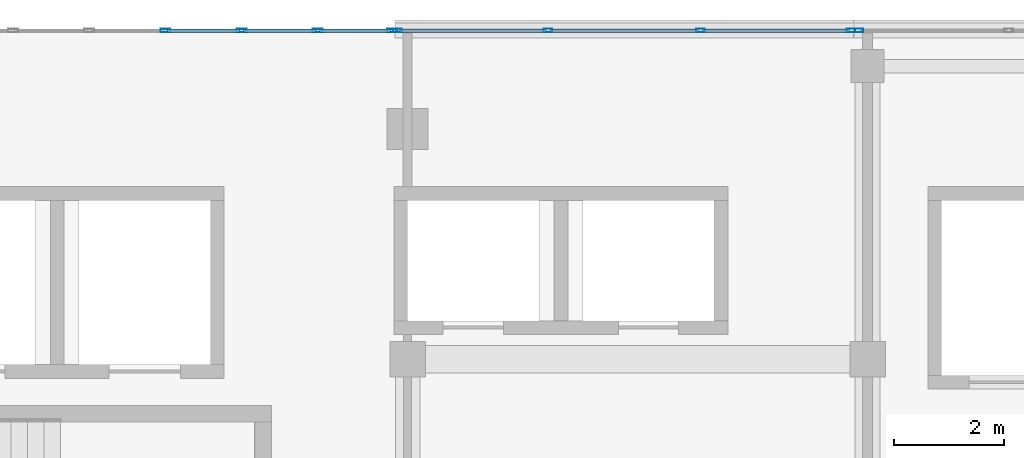
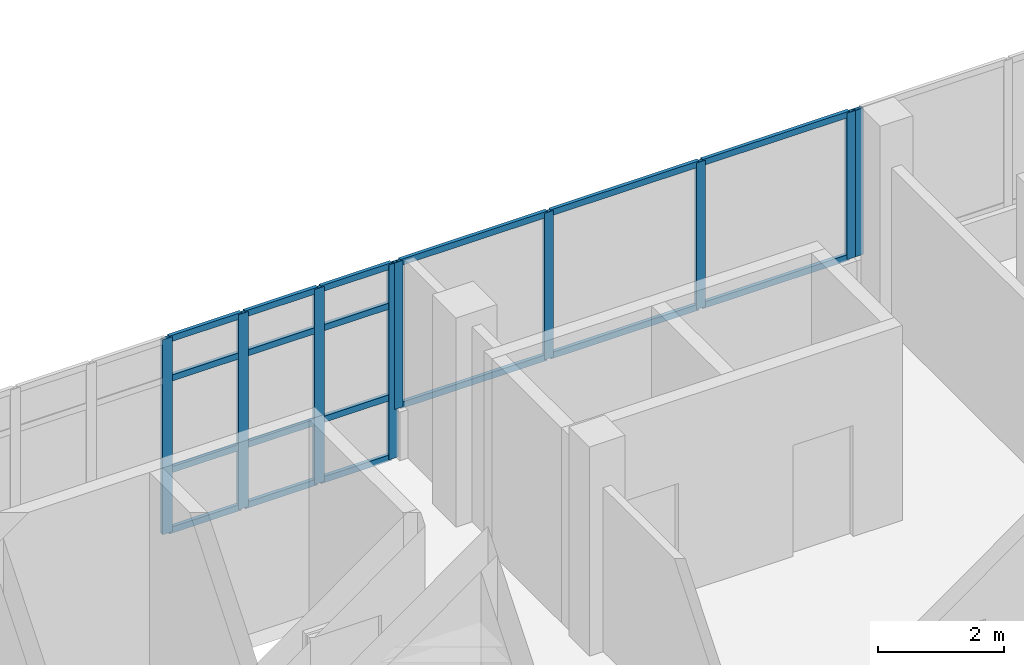
# One storey, part 35 of 78: 27 members, 3 elements without a shape of their own.
"""IFC4 building model written with IfcOpenShell, lengths in metres."""

from ifc_helpers import new_model, si_unit, direction, frame, origin, origin_2d, place, context, subcontext, project, spatial, hollow_rectangle, extrude, material, material_profile, profile_set, type_object, element, aggregate, save


model = new_model("IFC4")

# Units and contexts
model_context = context("Model", 3, precision=1e-05, world=origin(), true_north=direction((0.0, 1.0)))
body_context = subcontext(model_context, "Body", "Model", "MODEL_VIEW")
ifc_project = project(units=[si_unit("LENGTHUNIT", "METRE"), si_unit("AREAUNIT", "SQUARE_METRE"), si_unit("VOLUMEUNIT", "CUBIC_METRE"), si_unit("PLANEANGLEUNIT", "RADIAN"), si_unit("MASSUNIT", "GRAM", prefix="KILO")], contexts=[model_context])

# Site, building, storey
site_placement = place(None, origin())
site = spatial("IfcSite", under=ifc_project, at=site_placement, CompositionType="ELEMENT")
building_placement = place(site_placement, origin())
building = spatial("IfcBuilding", under=site, at=building_placement, Name="Selatvlak General Hospital", CompositionType="ELEMENT")
storey_placement = place(building_placement, frame((0.0, 0.0, 23.25)))
storey = spatial("IfcBuildingStorey", under=building, at=storey_placement, Name="L05", CompositionType="ELEMENT", Elevation=23.25)

# Curtain wall, members
ifc_material_1 = material(Name="Solar-control Low-E double glazing", Category="glass")
curtain_wall_type_1 = type_object("IfcCurtainWallType", Name="CW-CW-02", PredefinedType="USERDEFINED", material=ifc_material_1)
curtain_wall_1_placement = place(storey_placement, origin())
curtain_wall_1 = element("IfcCurtainWall", 1, at=curtain_wall_1_placement, inside=storey, type_object=curtain_wall_type_1, Name="Glazed facade curtain wall CW-L05-0558", ObjectType="UNITISED CURTAIN WALL", PredefinedType="USERDEFINED")
ifc_material_2 = material(Name="Dark anodised aluminium mullion", Category="aluminium")
ifc_material_profile_1 = material_profile(ifc_material_2, hollow_rectangle(XDim=0.06494140625, YDim=0.159912109375, WallThickness=0.00390625, at=origin_2d()), Name="AL-MUL 65x160x4")
ifc_profile_set_1 = profile_set([ifc_material_profile_1], Name="Dark anodised aluminium mullion")
member_type_1 = type_object("IfcMemberType", Name="CWM-01", PredefinedType="MULLION", material=ifc_profile_set_1)
member_1_placement = place(storey_placement, frame((115.015380859375, 120.0, 0.93994140625), z_axis=(0.0, 0.0, 1.0), x_axis=(0.0, 1.0, 0.0)))
member_1 = element("IfcMember", 2, at=member_1_placement, type_object=member_type_1, Name="CW-02 mullion 1", PredefinedType="MULLION", context=body_context, shape_type="SweptSolid", body=[
    extrude(hollow_rectangle(XDim=0.06494140625, YDim=0.159912109375, WallThickness=0.00390625, at=origin_2d()), origin(), (0.0, 0.0, 1.0), 2.8349609375),
])
member_2_placement = place(storey_placement, frame((117.76611328125, 120.0, 0.93994140625), z_axis=(0.0, 0.0, 1.0), x_axis=(0.0, 1.0, 0.0)))
member_2 = element("IfcMember", 3, at=member_2_placement, type_object=member_type_1, Name="CW-02 mullion 2", PredefinedType="MULLION", context=body_context, shape_type="SweptSolid", body=[
    extrude(hollow_rectangle(XDim=0.06494140625, YDim=0.159912109375, WallThickness=0.00390625, at=origin_2d()), origin(), (0.0, 0.0, 1.0), 2.8349609375),
])
member_3_placement = place(storey_placement, frame((120.549072265625, 120.0, 0.93994140625), z_axis=(0.0, 0.0, 1.0), x_axis=(0.0, 1.0, 0.0)))
member_3 = element("IfcMember", 4, at=member_3_placement, type_object=member_type_1, Name="CW-02 mullion 3", PredefinedType="MULLION", context=body_context, shape_type="SweptSolid", body=[
    extrude(hollow_rectangle(XDim=0.06494140625, YDim=0.159912109375, WallThickness=0.00390625, at=origin_2d()), origin(), (0.0, 0.0, 1.0), 2.8349609375),
])
member_4_placement = place(storey_placement, frame((123.299560546875, 120.0, 0.93994140625), z_axis=(0.0, 0.0, 1.0), x_axis=(0.0, 1.0, 0.0)))
member_4 = element("IfcMember", 5, at=member_4_placement, type_object=member_type_1, Name="CW-02 mullion 4", PredefinedType="MULLION", context=body_context, shape_type="SweptSolid", body=[
    extrude(hollow_rectangle(XDim=0.06494140625, YDim=0.159912109375, WallThickness=0.00390625, at=origin_2d()), origin(), (0.0, 0.0, 1.0), 2.8349609375),
])

# Curtain wall, member
curtain_wall_type_2 = type_object("IfcCurtainWallType", Name="CW-CW-01", PredefinedType="USERDEFINED", material=ifc_material_1)
curtain_wall_2_placement = place(storey_placement, origin())
curtain_wall_2 = element("IfcCurtainWall", 6, at=curtain_wall_2_placement, inside=storey, type_object=curtain_wall_type_2, Name="Glazed facade curtain wall CW-L05-0559", ObjectType="UNITISED CURTAIN WALL", PredefinedType="USERDEFINED")
member_5_placement = place(storey_placement, frame((123.444580078125, 120.0, 0.93994140625), z_axis=(0.0, 0.0, 1.0), x_axis=(0.0, 1.0, 0.0)))
member_5 = element("IfcMember", 7, at=member_5_placement, type_object=member_type_1, Name="CW-01 mullion 1", PredefinedType="MULLION", context=body_context, shape_type="SweptSolid", body=[
    extrude(hollow_rectangle(XDim=0.06494140625, YDim=0.159912109375, WallThickness=0.00390625, at=origin_2d()), origin(), (0.0, 0.0, 1.0), 2.8349609375),
])
aggregate(curtain_wall_2, [member_5])

# Curtain wall, members
curtain_wall_type_3 = type_object("IfcCurtainWallType", Name="CW-CW-04", PredefinedType="USERDEFINED", material=ifc_material_1)
curtain_wall_3_placement = place(storey_placement, origin())
curtain_wall_3 = element("IfcCurtainWall", 8, at=curtain_wall_3_placement, inside=storey, type_object=curtain_wall_type_3, Name="Glazed facade curtain wall CW-L05-0557", ObjectType="STICK GLAZING WALL", PredefinedType="USERDEFINED")
ifc_material_profile_2 = material_profile(ifc_material_2, hollow_rectangle(XDim=0.06494140625, YDim=0.179931640625, WallThickness=0.00439453125, at=origin_2d()), Name="AL-MUL 65x180x4.5")
ifc_profile_set_2 = profile_set([ifc_material_profile_2], Name="Dark anodised aluminium mullion")
member_type_2 = type_object("IfcMemberType", Name="CWM-02", PredefinedType="MULLION", material=ifc_profile_set_2)
member_6_placement = place(storey_placement, frame((110.778564453125, 120.0, 0.0), z_axis=(0.0, 0.0, 1.0), x_axis=(0.0, 1.0, 0.0)))
member_6 = element("IfcMember", 9, at=member_6_placement, type_object=member_type_2, Name="CW-04 mullion 4", PredefinedType="MULLION", context=body_context, shape_type="SweptSolid", body=[
    extrude(hollow_rectangle(XDim=0.06494140625, YDim=0.179931640625, WallThickness=0.00439453125, at=origin_2d()), origin(), (0.0, 0.0, 1.0), 3.77490234375),
])
member_7_placement = place(storey_placement, frame((112.169921875, 120.0, 0.0), z_axis=(0.0, 0.0, 1.0), x_axis=(0.0, 1.0, 0.0)))
member_7 = element("IfcMember", 10, at=member_7_placement, type_object=member_type_2, Name="CW-04 mullion 5", PredefinedType="MULLION", context=body_context, shape_type="SweptSolid", body=[
    extrude(hollow_rectangle(XDim=0.06494140625, YDim=0.179931640625, WallThickness=0.00439453125, at=origin_2d()), origin(), (0.0, 0.0, 1.0), 3.77490234375),
])
member_8_placement = place(storey_placement, frame((113.5615234375, 120.0, 0.0), z_axis=(0.0, 0.0, 1.0), x_axis=(0.0, 1.0, 0.0)))
member_8 = element("IfcMember", 11, at=member_8_placement, type_object=member_type_2, Name="CW-04 mullion 6", PredefinedType="MULLION", context=body_context, shape_type="SweptSolid", body=[
    extrude(hollow_rectangle(XDim=0.06494140625, YDim=0.179931640625, WallThickness=0.00439453125, at=origin_2d()), origin(), (0.0, 0.0, 1.0), 3.77490234375),
])
member_9_placement = place(storey_placement, frame((114.92041015625, 120.0, 0.0), z_axis=(0.0, 0.0, 1.0), x_axis=(0.0, 1.0, 0.0)))
member_9 = element("IfcMember", 12, at=member_9_placement, type_object=member_type_2, Name="CW-04 mullion 7", PredefinedType="MULLION", context=body_context, shape_type="SweptSolid", body=[
    extrude(hollow_rectangle(XDim=0.06494140625, YDim=0.179931640625, WallThickness=0.00439453125, at=origin_2d()), origin(), (0.0, 0.0, 1.0), 3.77490234375),
])
ifc_material_profile_3 = material_profile(ifc_material_2, hollow_rectangle(XDim=0.06494140625, YDim=0.1201171875, WallThickness=0.00390625, at=origin_2d()), Name="AL-TRN 65x120x4")
ifc_profile_set_3 = profile_set([ifc_material_profile_3], Name="Dark anodised aluminium mullion")
member_type_3 = type_object("IfcMemberType", Name="CWT-01", PredefinedType="USERDEFINED", material=ifc_profile_set_3)
member_10_placement = place(storey_placement, frame((110.81103515625, 120.0, 0.032470703125), z_axis=(1.0, 0.0, 0.0), x_axis=(0.0, 1.0, 0.0)))
member_10 = element("IfcMember", 13, at=member_10_placement, type_object=member_type_3, Name="CW-04 transom 4.1", ObjectType="TRANSOM", PredefinedType="USERDEFINED", context=body_context, shape_type="SweptSolid", body=[
    extrude(hollow_rectangle(XDim=0.06494140625, YDim=0.1201171875, WallThickness=0.00390625, at=origin_2d()), origin(), (0.0, 0.0, 1.0), 1.326416015625),
])
member_11_placement = place(storey_placement, frame((110.81103515625, 120.0, 1.199951171875), z_axis=(1.0, 0.0, 0.0), x_axis=(0.0, 1.0, 0.0)))
member_11 = element("IfcMember", 14, at=member_11_placement, type_object=member_type_3, Name="CW-04 transom 4.2", ObjectType="TRANSOM", PredefinedType="USERDEFINED", context=body_context, shape_type="SweptSolid", body=[
    extrude(hollow_rectangle(XDim=0.06494140625, YDim=0.1201171875, WallThickness=0.00390625, at=origin_2d()), origin(), (0.0, 0.0, 1.0), 1.326416015625),
])
member_12_placement = place(storey_placement, frame((110.81103515625, 120.0, 2.97509765625), z_axis=(1.0, 0.0, 0.0), x_axis=(0.0, 1.0, 0.0)))
member_12 = element("IfcMember", 15, at=member_12_placement, type_object=member_type_3, Name="CW-04 transom 4.3", ObjectType="TRANSOM", PredefinedType="USERDEFINED", context=body_context, shape_type="SweptSolid", body=[
    extrude(hollow_rectangle(XDim=0.06494140625, YDim=0.1201171875, WallThickness=0.00390625, at=origin_2d()), origin(), (0.0, 0.0, 1.0), 1.326416015625),
])
member_13_placement = place(storey_placement, frame((110.81103515625, 120.0, 3.742431640625), z_axis=(1.0, 0.0, 0.0), x_axis=(0.0, 1.0, 0.0)))
member_13 = element("IfcMember", 16, at=member_13_placement, type_object=member_type_3, Name="CW-04 transom 4.4", ObjectType="TRANSOM", PredefinedType="USERDEFINED", context=body_context, shape_type="SweptSolid", body=[
    extrude(hollow_rectangle(XDim=0.06494140625, YDim=0.1201171875, WallThickness=0.00390625, at=origin_2d()), origin(), (0.0, 0.0, 1.0), 1.326416015625),
])
member_14_placement = place(storey_placement, frame((112.202392578125, 120.0, 0.032470703125), z_axis=(1.0, 0.0, 0.0), x_axis=(0.0, 1.0, 0.0)))
member_14 = element("IfcMember", 17, at=member_14_placement, type_object=member_type_3, Name="CW-04 transom 5.1", ObjectType="TRANSOM", PredefinedType="USERDEFINED", context=body_context, shape_type="SweptSolid", body=[
    extrude(hollow_rectangle(XDim=0.06494140625, YDim=0.1201171875, WallThickness=0.00390625, at=origin_2d()), origin(), (0.0, 0.0, 1.0), 1.32666015625),
])
member_15_placement = place(storey_placement, frame((112.202392578125, 120.0, 1.199951171875), z_axis=(1.0, 0.0, 0.0), x_axis=(0.0, 1.0, 0.0)))
member_15 = element("IfcMember", 18, at=member_15_placement, type_object=member_type_3, Name="CW-04 transom 5.2", ObjectType="TRANSOM", PredefinedType="USERDEFINED", context=body_context, shape_type="SweptSolid", body=[
    extrude(hollow_rectangle(XDim=0.06494140625, YDim=0.1201171875, WallThickness=0.00390625, at=origin_2d()), origin(), (0.0, 0.0, 1.0), 1.32666015625),
])
member_16_placement = place(storey_placement, frame((112.202392578125, 120.0, 2.97509765625), z_axis=(1.0, 0.0, 0.0), x_axis=(0.0, 1.0, 0.0)))
member_16 = element("IfcMember", 19, at=member_16_placement, type_object=member_type_3, Name="CW-04 transom 5.3", ObjectType="TRANSOM", PredefinedType="USERDEFINED", context=body_context, shape_type="SweptSolid", body=[
    extrude(hollow_rectangle(XDim=0.06494140625, YDim=0.1201171875, WallThickness=0.00390625, at=origin_2d()), origin(), (0.0, 0.0, 1.0), 1.32666015625),
])
member_17_placement = place(storey_placement, frame((112.202392578125, 120.0, 3.742431640625), z_axis=(1.0, 0.0, 0.0), x_axis=(0.0, 1.0, 0.0)))
member_17 = element("IfcMember", 20, at=member_17_placement, type_object=member_type_3, Name="CW-04 transom 5.4", ObjectType="TRANSOM", PredefinedType="USERDEFINED", context=body_context, shape_type="SweptSolid", body=[
    extrude(hollow_rectangle(XDim=0.06494140625, YDim=0.1201171875, WallThickness=0.00390625, at=origin_2d()), origin(), (0.0, 0.0, 1.0), 1.32666015625),
])
member_18_placement = place(storey_placement, frame((113.593994140625, 120.0, 0.032470703125), z_axis=(1.0, 0.0, 0.0), x_axis=(0.0, 1.0, 0.0)))
member_18 = element("IfcMember", 21, at=member_18_placement, type_object=member_type_3, Name="CW-04 transom 6.1", ObjectType="TRANSOM", PredefinedType="USERDEFINED", context=body_context, shape_type="SweptSolid", body=[
    extrude(hollow_rectangle(XDim=0.06494140625, YDim=0.1201171875, WallThickness=0.00390625, at=origin_2d()), origin(), (0.0, 0.0, 1.0), 1.2939453125),
])
member_19_placement = place(storey_placement, frame((113.593994140625, 120.0, 1.199951171875), z_axis=(1.0, 0.0, 0.0), x_axis=(0.0, 1.0, 0.0)))
member_19 = element("IfcMember", 22, at=member_19_placement, type_object=member_type_3, Name="CW-04 transom 6.2", ObjectType="TRANSOM", PredefinedType="USERDEFINED", context=body_context, shape_type="SweptSolid", body=[
    extrude(hollow_rectangle(XDim=0.06494140625, YDim=0.1201171875, WallThickness=0.00390625, at=origin_2d()), origin(), (0.0, 0.0, 1.0), 1.2939453125),
])
member_20_placement = place(storey_placement, frame((113.593994140625, 120.0, 2.97509765625), z_axis=(1.0, 0.0, 0.0), x_axis=(0.0, 1.0, 0.0)))
member_20 = element("IfcMember", 23, at=member_20_placement, type_object=member_type_3, Name="CW-04 transom 6.3", ObjectType="TRANSOM", PredefinedType="USERDEFINED", context=body_context, shape_type="SweptSolid", body=[
    extrude(hollow_rectangle(XDim=0.06494140625, YDim=0.1201171875, WallThickness=0.00390625, at=origin_2d()), origin(), (0.0, 0.0, 1.0), 1.2939453125),
])
member_21_placement = place(storey_placement, frame((113.593994140625, 120.0, 3.742431640625), z_axis=(1.0, 0.0, 0.0), x_axis=(0.0, 1.0, 0.0)))
member_21 = element("IfcMember", 24, at=member_21_placement, type_object=member_type_3, Name="CW-04 transom 6.4", ObjectType="TRANSOM", PredefinedType="USERDEFINED", context=body_context, shape_type="SweptSolid", body=[
    extrude(hollow_rectangle(XDim=0.06494140625, YDim=0.1201171875, WallThickness=0.00390625, at=origin_2d()), origin(), (0.0, 0.0, 1.0), 1.2939453125),
])
aggregate(curtain_wall_3, [member_6, member_7, member_8, member_9, member_10, member_11, member_12, member_13, member_14, member_15, member_16, member_17, member_18, member_19, member_20, member_21])

# Member
member_22_placement = place(storey_placement, frame((115.048095703125, 120.0, 0.972412109375), z_axis=(1.0, 0.0, 0.0), x_axis=(0.0, 1.0, 0.0)))
member_22 = element("IfcMember", 25, at=member_22_placement, type_object=member_type_3, Name="CW-02 transom 1.1", ObjectType="TRANSOM", PredefinedType="USERDEFINED", context=body_context, shape_type="SweptSolid", body=[
    extrude(hollow_rectangle(XDim=0.06494140625, YDim=0.1201171875, WallThickness=0.00390625, at=origin_2d()), origin(), (0.0, 0.0, 1.0), 2.685302734375),
])

member_23_placement = place(storey_placement, frame((115.048095703125, 120.0, 3.742431640625), z_axis=(1.0, 0.0, 0.0), x_axis=(0.0, 1.0, 0.0)))
member_23 = element("IfcMember", 26, at=member_23_placement, type_object=member_type_3, Name="CW-02 transom 1.2", ObjectType="TRANSOM", PredefinedType="USERDEFINED", context=body_context, shape_type="SweptSolid", body=[
    extrude(hollow_rectangle(XDim=0.06494140625, YDim=0.1201171875, WallThickness=0.00390625, at=origin_2d()), origin(), (0.0, 0.0, 1.0), 2.685302734375),
])

member_24_placement = place(storey_placement, frame((117.798583984375, 120.0, 0.972412109375), z_axis=(1.0, 0.0, 0.0), x_axis=(0.0, 1.0, 0.0)))
member_24 = element("IfcMember", 27, at=member_24_placement, type_object=member_type_3, Name="CW-02 transom 2.1", ObjectType="TRANSOM", PredefinedType="USERDEFINED", context=body_context, shape_type="SweptSolid", body=[
    extrude(hollow_rectangle(XDim=0.06494140625, YDim=0.1201171875, WallThickness=0.00390625, at=origin_2d()), origin(), (0.0, 0.0, 1.0), 2.718017578125),
])

member_25_placement = place(storey_placement, frame((117.798583984375, 120.0, 3.742431640625), z_axis=(1.0, 0.0, 0.0), x_axis=(0.0, 1.0, 0.0)))
member_25 = element("IfcMember", 28, at=member_25_placement, type_object=member_type_3, Name="CW-02 transom 2.2", ObjectType="TRANSOM", PredefinedType="USERDEFINED", context=body_context, shape_type="SweptSolid", body=[
    extrude(hollow_rectangle(XDim=0.06494140625, YDim=0.1201171875, WallThickness=0.00390625, at=origin_2d()), origin(), (0.0, 0.0, 1.0), 2.718017578125),
])

member_26_placement = place(storey_placement, frame((120.58154296875, 120.0, 0.972412109375), z_axis=(1.0, 0.0, 0.0), x_axis=(0.0, 1.0, 0.0)))
member_26 = element("IfcMember", 29, at=member_26_placement, type_object=member_type_3, Name="CW-02 transom 3.1", ObjectType="TRANSOM", PredefinedType="USERDEFINED", context=body_context, shape_type="SweptSolid", body=[
    extrude(hollow_rectangle(XDim=0.06494140625, YDim=0.1201171875, WallThickness=0.00390625, at=origin_2d()), origin(), (0.0, 0.0, 1.0), 2.685546875),
])

member_27_placement = place(storey_placement, frame((120.58154296875, 120.0, 3.742431640625), z_axis=(1.0, 0.0, 0.0), x_axis=(0.0, 1.0, 0.0)))
member_27 = element("IfcMember", 30, at=member_27_placement, type_object=member_type_3, Name="CW-02 transom 3.2", ObjectType="TRANSOM", PredefinedType="USERDEFINED", context=body_context, shape_type="SweptSolid", body=[
    extrude(hollow_rectangle(XDim=0.06494140625, YDim=0.1201171875, WallThickness=0.00390625, at=origin_2d()), origin(), (0.0, 0.0, 1.0), 2.685546875),
])

aggregate(curtain_wall_1, [member_1, member_2, member_3, member_4, member_22, member_23, member_24, member_25, member_26, member_27])

save(model, "model.ifc")
